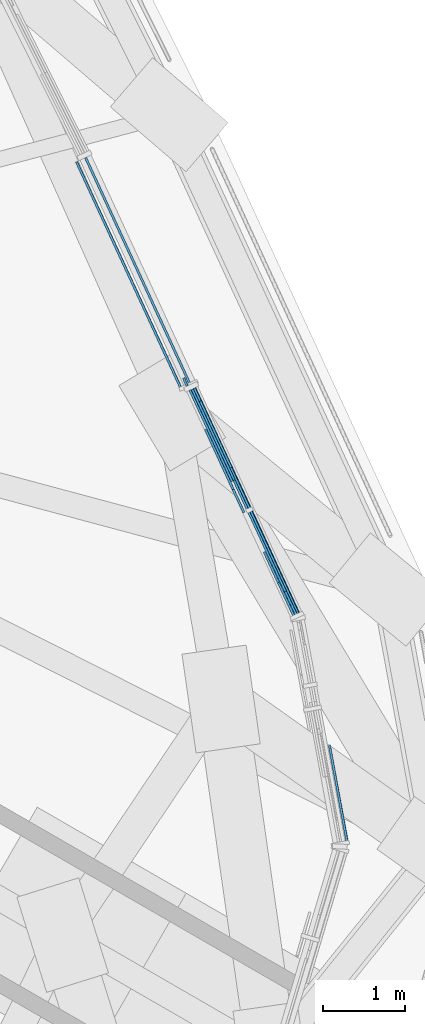
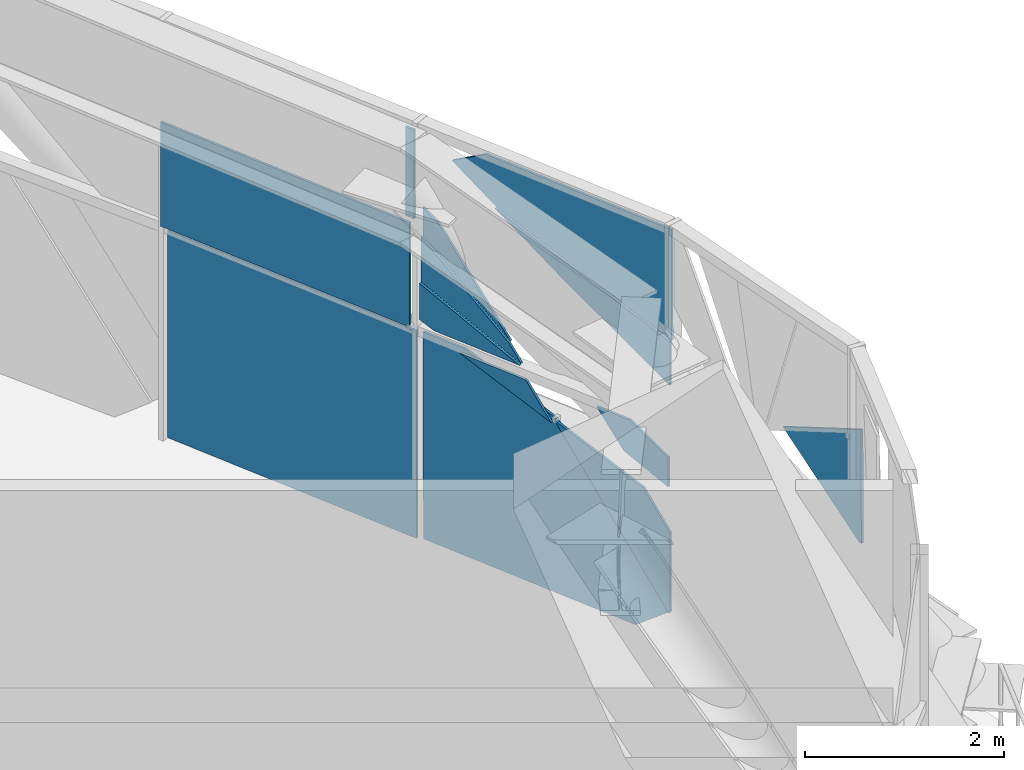
# One storey, part 15 of 35: 13 plates, 2 elements without a shape of their own.
"""IFC4 building model written with IfcOpenShell, lengths in metres."""

from ifc_helpers import new_model, si_unit, direction, frame, origin, origin_2d, place, context, subcontext, project, spatial, polyline, rectangle, outline, extrude, material, layer, layer_set, type_object, element, aggregate, save


model = new_model("IFC4")

# Units and contexts
model_context = context("Model", 3, precision=1e-05, world=origin(), true_north=direction((0.0, 1.0)))
body_context = subcontext(model_context, "Body", "Model", "MODEL_VIEW")
ifc_project = project(units=[si_unit("LENGTHUNIT", "METRE"), si_unit("AREAUNIT", "SQUARE_METRE"), si_unit("VOLUMEUNIT", "CUBIC_METRE"), si_unit("PLANEANGLEUNIT", "RADIAN"), si_unit("MASSUNIT", "GRAM", prefix="KILO")], contexts=[model_context])

# Site, building, storey
site_placement = place(None, origin())
site = spatial("IfcSite", under=ifc_project, at=site_placement, CompositionType="ELEMENT")
building_placement = place(site_placement, origin())
building = spatial("IfcBuilding", under=site, at=building_placement, Name="Mestral Congress Tower", CompositionType="ELEMENT")
storey_placement = place(building_placement, frame((0.0, 0.0, 196.199951171875)))
storey = spatial("IfcBuildingStorey", under=building, at=storey_placement, Name="L46", CompositionType="ELEMENT", Elevation=196.199951171875)

# Curtain wall, plate
ifc_material_1 = material(Name="Clear low-emissivity double glazing", Category="glass")
curtain_wall_type = type_object("IfcCurtainWallType", Name="Facade refuge band screen", PredefinedType="USERDEFINED", material=ifc_material_1)
placement = place(storey_placement, origin())
curtain_wall_1 = element("IfcCurtainWall", 1, at=placement, inside=storey, type_object=curtain_wall_type, Name="Facade refuge band screen face 2", ObjectType="CURTAIN WALL", PredefinedType="USERDEFINED")
ifc_material_2 = material(Name="Anodised aluminium", Category="aluminium")
ifc_layer_1 = layer(ifc_material_2, 0.028076171875)
ifc_layer_set_1 = layer_set([ifc_layer_1], Name="Anodised aluminium")
plate_type_1 = type_object("IfcPlateType", Name="Facade refuge band screen brace cover panel", PredefinedType="CURTAIN_PANEL", material=ifc_layer_set_1)
plate_1_placement = place(storey_placement, frame((26.907470703125, -9.960205078125, 0.3515625), z_axis=(0.908029335867, 0.418902114179, 0.001934926711), x_axis=(-0.001683741085, -0.000969287922, 0.999998112747)))
plate_1 = element("IfcPlate", 2, at=plate_1_placement, type_object=plate_type_1, Name="Facade refuge band screen brace cover panel", PredefinedType="CURTAIN_PANEL", context=body_context, shape_type="SweptSolid", body=[
    extrude(outline(polyline([(0.0, 0.0), (0.9772969015293373, 2.168404344971009e-19), (1.3974063223093507, -0.3281957317685633), (1.7873525781233766, -1.4212663044445664), (-0.01245377476568005, -0.015617007237350801), (0.0, 0.0)])), origin(), (0.0, 0.0, -1.0), 0.028076171875),
])

curtain_wall_2 = element("IfcCurtainWall", 3, at=placement, inside=storey, type_object=curtain_wall_type, Name="Facade refuge band screen corner 1", ObjectType="CURTAIN WALL", PredefinedType="USERDEFINED")
plate_2_placement = place(storey_placement, frame((27.520751953125, -12.70458984375, 2.66015625), z_axis=(0.983547803094, 0.180635996299, 0.002087072073), x_axis=(0.180636365307, -0.983549949615, 1.1883517e-05)))
plate_2 = element("IfcPlate", 4, at=plate_2_placement, type_object=plate_type_1, Name="Facade refuge band screen brace cover panel", PredefinedType="CURTAIN_PANEL", context=body_context, shape_type="SweptSolid", body=[
    extrude(outline(polyline([(0.0, 0.0), (0.03347522362435996, 1.6940658945086007e-21), (0.03348699225641707, -1.3991725713406724), (-1.1793906243203345, -0.7861489378505476), (0.0, 0.0)])), origin(), (0.0, 0.0, -1.0), 0.028076171875),
])
aggregate(curtain_wall_2, [plate_2])

# Plate
ifc_layer_2 = layer(ifc_material_1, 0.028076171875)
ifc_layer_set_2 = layer_set([ifc_layer_2], Name="Clear low-emissivity double glazing")
plate_type_2 = type_object("IfcPlateType", Name="Facade refuge band screen panel", PredefinedType="CURTAIN_PANEL", material=ifc_layer_set_2)
plate_3_placement = place(storey_placement, frame((26.877197265625, -9.97412109375, 1.90869140625), z_axis=(0.908195604375, 0.418540413449, 0.002160208987), x_axis=(-0.001941538114, -0.000948313593, 0.999997665563)))
plate_3 = element("IfcPlate", 5, at=plate_3_placement, type_object=plate_type_2, Name="Refuge screen glass unit", PredefinedType="CURTAIN_PANEL", context=body_context, shape_type="SweptSolid", body=[
    extrude(outline(polyline([(0.0, 0.0), (0.3569339400494769, 6.098637220230962e-20), (0.6313265207422363, -0.46599690516786857), (0.6313060270333174, -0.8788144012242853), (0.22580374023391211, -0.5475010895862183), (0.0, 0.0)])), origin(), (0.0, 0.0, -1.0), 0.028076171875),
])

plate_4_placement = place(storey_placement, frame((26.75048828125, -9.537109375, 0.0), z_axis=(0.908115680091, 0.418714662177, 0.001985761886), x_axis=(0.328867691856, -0.716173410674, 0.615582396676)))
plate_4 = element("IfcPlate", 6, at=plate_4_placement, type_object=plate_type_2, Name="Refuge screen glass unit", PredefinedType="CURTAIN_PANEL", context=body_context, shape_type="SweptSolid", body=[
    extrude(outline(polyline([(0.0, 0.0), (0.5508789082003774, 0.0), (0.5515383848115216, -2.283607565275875), (-0.0861232990988674, -3.2903865645628745), (-0.49228137230734315, -3.6076474662096967), (-2.0559328199560456, -1.6059434604433136), (0.0, 0.0)])), origin(), (0.0, 0.0, -1.0), 0.028076171875),
])

plate_5_placement = place(storey_placement, frame((26.25830078125, -8.694580078125, 2.13916015625), z_axis=(0.908150872884, 0.418636138015, 0.002403336775), x_axis=(-0.259267801795, 0.557905899419, 0.788366167682)))
plate_5 = element("IfcPlate", 7, at=plate_5_placement, type_object=plate_type_2, Name="Refuge screen glass unit", PredefinedType="CURTAIN_PANEL", context=body_context, shape_type="SweptSolid", body=[
    extrude(outline(polyline([(0.0, 0.0), (0.5084932898994861, 0.0), (1.0064714080741335, -0.6381470726087413), (0.0, 0.0)])), origin(), (0.0, 0.0, -1.0), 0.028076171875),
])

plate_6_placement = place(storey_placement, frame((25.674072265625, -7.3583984375, 2.66015625), z_axis=(0.908108194543, 0.418730168147, 0.002133843253), x_axis=(0.418731121598, -0.908110261921, -7.666e-08)))
plate_6 = element("IfcPlate", 8, at=plate_6_placement, type_object=plate_type_2, Name="Refuge screen glass unit", PredefinedType="CURTAIN_PANEL", context=body_context, shape_type="SweptSolid", body=[
    extrude(outline(polyline([(0.0, 0.0), (1.0517378632801986, 1.0842021724855044e-19), (-0.17955217393639972, -0.5097667717940846), (-0.17936492925733308, -0.06396489499920616), (0.0, 0.0)])), origin(), (0.0, 0.0, -1.0), 0.028076171875),
])

plate_7_placement = place(storey_placement, frame((25.625244140625, -7.183349609375, 3.169921875), z_axis=(0.908118288846, 0.418709735646, 0.001825030978), x_axis=(0.387710182161, -0.839222981336, -0.381294639676)))
plate_7 = element("IfcPlate", 9, at=plate_7_placement, type_object=plate_type_2, Name="Refuge screen glass unit", PredefinedType="CURTAIN_PANEL", context=body_context, shape_type="SweptSolid", body=[
    extrude(outline(polyline([(0.0, 0.0), (1.3286099163697307, -5.551115123125783e-17), (1.1114116022012615, -0.12353805588997918), (-0.21167310524667746, -0.5127121335693623), (0.0, 0.0)])), origin(), (0.0, 0.0, -1.0), 0.028076171875),
])

plate_8_placement = place(storey_placement, frame((25.6513671875, -7.171142578125, 3.724609375), z_axis=(0.908171684273, 0.418592504315, 0.002123020341), x_axis=(0.327398021775, -0.707139025579, -0.626709608863)))
plate_8 = element("IfcPlate", 10, at=plate_8_placement, type_object=plate_type_2, Name="Refuge screen glass unit", PredefinedType="CURTAIN_PANEL", context=body_context, shape_type="SweptSolid", body=[
    extrude(outline(polyline([(0.0, 0.0), (1.3790409237843475, 1.1102230246251565e-16), (-0.011828858514274398, -0.29658278089074136), (-0.21465362262040685, -0.26692771788168745), (0.0, 0.0)])), origin(), (0.0, 0.0, -1.0), 0.028076171875),
])

plate_9_placement = place(storey_placement, frame((26.029541015625, -7.99462890625, 4.43896484375), z_axis=(0.908129440975, 0.418685034626, 0.001939127315), x_axis=(0.394882999317, -0.854944903806, -0.336357887237)))
plate_9 = element("IfcPlate", 11, at=plate_9_placement, type_object=plate_type_2, Name="Refuge screen glass unit", PredefinedType="CURTAIN_PANEL", context=body_context, shape_type="SweptSolid", body=[
    extrude(outline(polyline([(0.0, 0.0), (2.285657335314352, 0.0), (1.828336159194937, -1.2806611291898786), (-0.3251056357502199, -0.5115174526338299), (-0.6327576586155148, -0.1439432065880138), (0.0, 0.0)])), origin(), (0.0, 0.0, -1.0), 0.028076171875),
])

plate_10_placement = place(storey_placement, frame((26.002197265625, -8.007080078125, 4.43896484375), z_axis=(0.908177525134, 0.418579000401, 0.002281066612), x_axis=(0.354830923402, -0.766951600696, -0.53467771413)))
plate_10 = element("IfcPlate", 12, at=plate_10_placement, type_object=plate_type_2, Name="Refuge screen glass unit", PredefinedType="CURTAIN_PANEL", context=body_context, shape_type="SweptSolid", body=[
    extrude(outline(polyline([(0.0, 0.0), (0.9766950812233226, 0.0), (2.5165395721894366, -0.04891812491390235), (2.2303008886981694, -0.5013804653860324), (0.0, 0.0)])), origin(), (0.0, 0.0, -1.0), 0.028076171875),
])

plate_11_placement = place(storey_placement, frame((24.947998046875, -5.745361328125, 0.0), z_axis=(0.0, 0.0, 1.0), x_axis=(-0.418710457168, 0.908119790038, 0.0)))
plate_11 = element("IfcPlate", 13, at=plate_11_placement, type_object=plate_type_2, Name="Refuge screen glass unit", PredefinedType="CURTAIN_PANEL", context=body_context, shape_type="SweptSolid", body=[
    extrude(rectangle(XDim=3.05859375, YDim=0.028076171875, at=origin_2d()), origin(), (0.0, 0.0, 1.0), 2.5400390625),
])

plate_12_placement = place(storey_placement, frame((24.211181640625, -4.40087890625, 2.66015625), z_axis=(0.908121229146, 0.418703108464, 0.001881525315), x_axis=(0.418703849599, -0.908122836587, 0.0)))
plate_12 = element("IfcPlate", 14, at=plate_12_placement, type_object=plate_type_2, Name="Refuge screen glass unit", PredefinedType="CURTAIN_PANEL", context=body_context, shape_type="SweptSolid", body=[
    extrude(outline(polyline([(0.0, 0.0), (3.058872565840878, 0.0), (3.058839400972704, -1.2778342931065576), (-3.3164868174175586e-05, -1.2778342931065576), (0.0, 0.0)])), origin(), (0.0, 0.0, -1.0), 0.028076171875),
])

plate_13_placement = place(storey_placement, frame((25.56591796875, -7.144287109375, 3.93798828125), z_axis=(0.90805702133, 0.418841301088, 0.002100122934), x_axis=(-0.001880676728, -0.00093676672, 0.999997792759)))
plate_13 = element("IfcPlate", 15, at=plate_13_placement, type_object=plate_type_2, Name="Refuge screen glass unit", PredefinedType="CURTAIN_PANEL", context=body_context, shape_type="SweptSolid", body=[
    extrude(outline(polyline([(0.0, 0.0), (1.0920431932354369, 2.710505431213761e-20), (1.0920366547849403, -0.10759507331534689), (-6.997600088185958e-06, -0.10749281688372335), (0.0, 0.0)])), origin(), (0.0, 0.0, -1.0), 0.028076171875),
])

aggregate(curtain_wall_1, [plate_3, plate_4, plate_5, plate_1, plate_6, plate_7, plate_8, plate_9, plate_10, plate_11, plate_12, plate_13])

save(model, "model.ifc")
